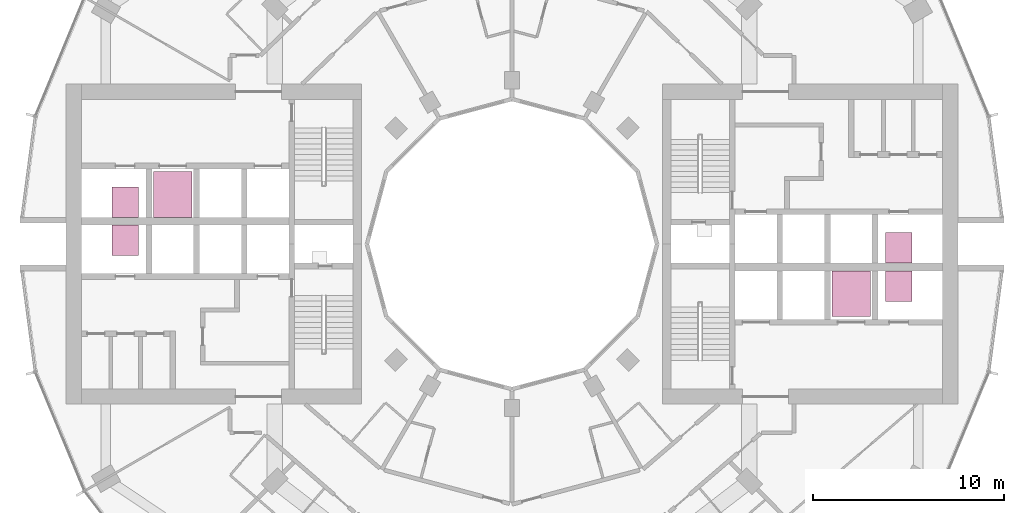
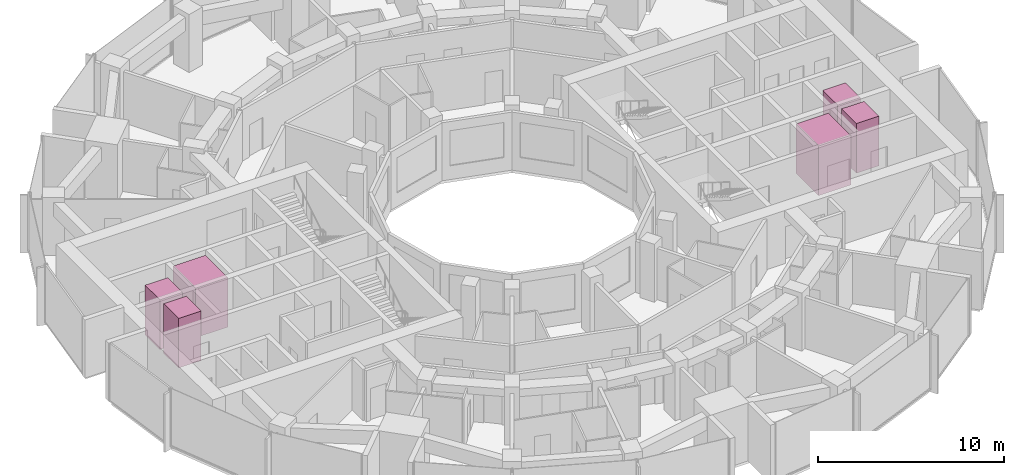
# One storey, part 15 of 15: 6 transport elements.
"""IFC4 building model written with IfcOpenShell, lengths in metres."""

from ifc_helpers import new_model, si_unit, direction, frame, origin, origin_2d, place, context, subcontext, project, spatial, rectangle, extrude, material, type_object, element, save


model = new_model("IFC4")

# Units and contexts
model_context = context("Model", 3, precision=1e-05, world=origin(), true_north=direction((0.0, 1.0)))
body_context = subcontext(model_context, "Body", "Model", "MODEL_VIEW")
ifc_project = project(units=[si_unit("LENGTHUNIT", "METRE"), si_unit("AREAUNIT", "SQUARE_METRE"), si_unit("VOLUMEUNIT", "CUBIC_METRE"), si_unit("PLANEANGLEUNIT", "RADIAN"), si_unit("MASSUNIT", "GRAM", prefix="KILO")], contexts=[model_context])

# Site, building, storey
site_placement = place(None, origin())
site = spatial("IfcSite", under=ifc_project, at=site_placement, CompositionType="ELEMENT")
building_placement = place(site_placement, origin())
building = spatial("IfcBuilding", under=site, at=building_placement, Name="Torre Brocal", CompositionType="ELEMENT")
storey_placement = place(building_placement, frame((0.0, 0.0, 51.60009765625)))
storey = spatial("IfcBuildingStorey", under=building, at=storey_placement, Name="L11", CompositionType="ELEMENT", Elevation=51.60009765625)

# Transport elements
ifc_material_1 = material(Name="Stainless steel AISI 316", Category="steel")
transport_element_type_1 = type_object("IfcTransportElementType", Name="PASSENGER LIFT 2000", PredefinedType="ELEVATOR", material=ifc_material_1)
for number, where, z_axis, x_axis, name in (
    (1, (97.800048828125, 72.39990234375, 0.0), (0.0, 0.0, 1.0), (1.0, 0.0, 0.0), "LOW RISE LIFT E-LR2"),
    (2, (62.199951171875, 77.60009765625, 0.0), (0.0, 0.0, 1.0), (1.0, 0.0, 0.0), "LOW RISE LIFT W-LR2"),
):
    element("IfcTransportElement", number, at=place(storey_placement, frame(where, z_axis=z_axis, x_axis=x_axis)), inside=storey, type_object=transport_element_type_1, Name=name, PredefinedType="ELEVATOR", context=body_context, shape_type="SweptSolid", body=[
        extrude(rectangle(XDim=2.0, YDim=2.39990234375, at=origin_2d()), origin(), (0.0, 0.0, 1.0), 3.25),
    ])
ifc_material_2 = material(Name="Stainless steel AISI 316", Category="steel")
transport_element_type_2 = type_object("IfcTransportElementType", Name="PASSENGER LIFT 900", PredefinedType="ELEVATOR", material=ifc_material_2)
for number, where, z_axis, x_axis, name in (
    (3, (100.300048828125, 74.800048828125, 0.0), (0.0, 0.0, 1.0), (1.0, 0.0, 0.0), "LOW RISE LIFT E-LR1"),
    (4, (100.300048828125, 72.800048828125, 0.0), (0.0, 0.0, 1.0), (1.0, 0.0, 0.0), "LOW RISE LIFT E-LR3"),
    (5, (59.699951171875, 75.199951171875, 0.0), (0.0, 0.0, 1.0), (1.0, 0.0, 0.0), "LOW RISE LIFT W-LR1"),
    (6, (59.699951171875, 77.199951171875, 0.0), (0.0, 0.0, 1.0), (1.0, 0.0, 0.0), "LOW RISE LIFT W-LR3"),
):
    element("IfcTransportElement", number, at=place(storey_placement, frame(where, z_axis=z_axis, x_axis=x_axis)), inside=storey, type_object=transport_element_type_2, Name=name, PredefinedType="ELEVATOR", context=body_context, shape_type="SweptSolid", body=[
        extrude(rectangle(XDim=1.39990234375, YDim=1.60009765625, at=origin_2d()), origin(), (0.0, 0.0, 1.0), 3.25),
    ])

save(model, "model.ifc")
